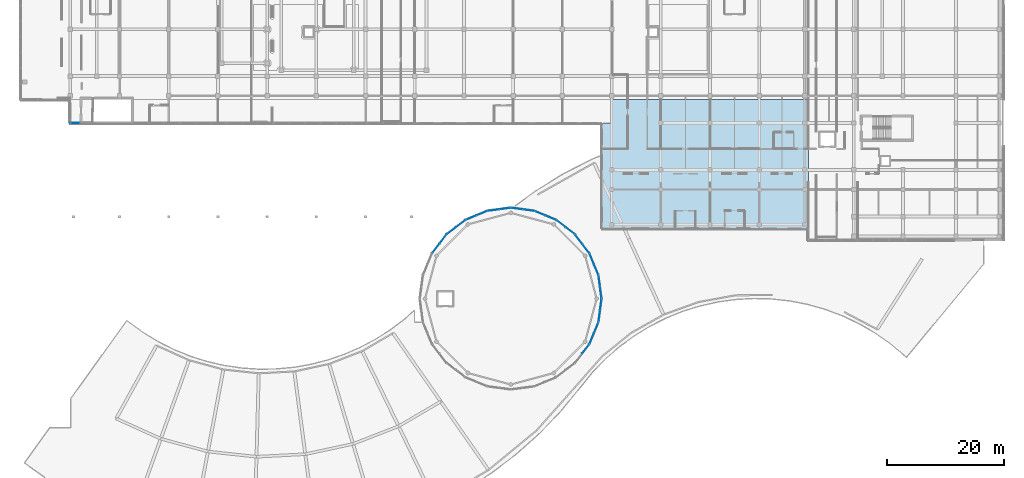
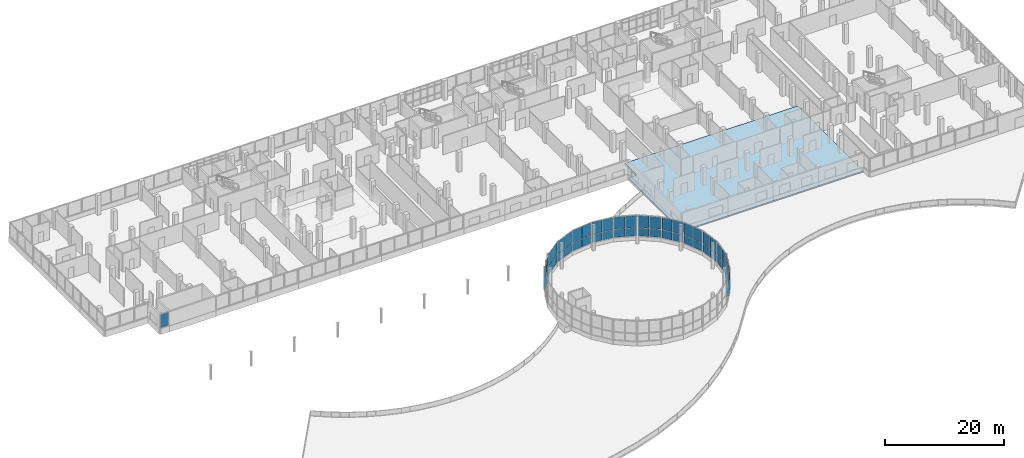
# One storey, part 75 of 101: 51 plates, 1 slab, 14 elements without a shape of their own.
"""IFC4 building model written with IfcOpenShell, lengths in metres."""

from ifc_helpers import new_model, si_unit, direction, frame, origin, origin_2d, place, context, subcontext, project, spatial, polyline, rectangle, outline, extrude, material, layer, layer_set, type_object, element, aggregate, save


model = new_model("IFC4")

# Units and contexts
model_context = context("Model", 3, precision=1e-05, world=origin(), true_north=direction((0.0, 1.0)))
body_context = subcontext(model_context, "Body", "Model", "MODEL_VIEW")
ifc_project = project(units=[si_unit("LENGTHUNIT", "METRE"), si_unit("AREAUNIT", "SQUARE_METRE"), si_unit("VOLUMEUNIT", "CUBIC_METRE"), si_unit("PLANEANGLEUNIT", "RADIAN"), si_unit("MASSUNIT", "GRAM", prefix="KILO")], contexts=[model_context])

# Site, building, storey
site_placement = place(None, origin())
site = spatial("IfcSite", under=ifc_project, at=site_placement, CompositionType="ELEMENT")
building_placement = place(site_placement, origin())
building = spatial("IfcBuilding", under=site, at=building_placement, Name="Selatvlak General Hospital", CompositionType="ELEMENT")
storey_placement = place(building_placement, frame((0.0, 0.0, 19.199951171875)))
storey = spatial("IfcBuildingStorey", under=building, at=storey_placement, Name="L04", CompositionType="ELEMENT", Elevation=19.199951171875)

# Curtain wall, plate
ifc_material_1 = material(Name="Solar-control Low-E double glazing", Category="glass")
curtain_wall_type_1 = type_object("IfcCurtainWallType", Name="CW-CW-02", PredefinedType="USERDEFINED", material=ifc_material_1)
curtain_wall_1_placement = place(storey_placement, origin())
curtain_wall_1 = element("IfcCurtainWall", 1, at=curtain_wall_1_placement, inside=storey, type_object=curtain_wall_type_1, Name="Glazed facade curtain wall CW-L04-0517", ObjectType="UNITISED CURTAIN WALL", PredefinedType="USERDEFINED")
ifc_layer_1 = layer(ifc_material_1, 0.028076171875, Name="Solar-control Low-E double glazing", Category="glass")
ifc_layer_set_1 = layer_set([ifc_layer_1], Name="Solar-control Low-E double glazing")
plate_type = type_object("IfcPlateType", Name="CWP-01", PredefinedType="CURTAIN_PANEL", material=ifc_layer_set_1)
plate_1_placement = place(storey_placement, frame((23.640380859375, 83.99951171875, 1.0048828125), z_axis=(0.0, 0.0, 1.0), x_axis=(-0.999999816123, 0.000606428033, 0.0)))
plate_1 = element("IfcPlate", 2, at=plate_1_placement, type_object=plate_type, Name="CW-02 panel 1.1", PredefinedType="CURTAIN_PANEL", context=body_context, shape_type="SweptSolid", body=[
    extrude(rectangle(XDim=1.51904296875, YDim=0.028076171875, at=origin_2d()), origin(), (0.0, 0.0, 1.0), 2.699951171875),
])
aggregate(curtain_wall_1, [plate_1])

# Curtain wall, plates
curtain_wall_type_2 = type_object("IfcCurtainWallType", Name="CW-CW-04", PredefinedType="USERDEFINED", material=ifc_material_1)
curtain_wall_2_placement = place(storey_placement, origin())
curtain_wall_2 = element("IfcCurtainWall", 3, at=curtain_wall_2_placement, inside=storey, type_object=curtain_wall_type_2, Name="Glazed facade curtain wall CW-L04-0519", ObjectType="STICK GLAZING WALL", PredefinedType="USERDEFINED")
plate_2_placement = place(storey_placement, frame((113.364990234375, 52.9736328125, 0.9150390625), z_axis=(0.0, 0.0, 1.0), x_axis=(-0.130499608402, -0.991448360837, 0.0)))
plate_2 = element("IfcPlate", 4, at=plate_2_placement, type_object=plate_type, Name="CW-04 panel 1.1", PredefinedType="CURTAIN_PANEL", context=body_context, shape_type="SweptSolid", body=[
    extrude(rectangle(XDim=1.91015625, YDim=0.028076171875, at=origin_2d()), origin(), (0.0, 0.0, 1.0), 1.62744140625),
])
plate_3_placement = place(storey_placement, frame((113.364990234375, 52.9736328125, 2.607421875), z_axis=(0.0, 0.0, 1.0), x_axis=(-0.130499608402, -0.991448360837, 0.0)))
plate_3 = element("IfcPlate", 5, at=plate_3_placement, type_object=plate_type, Name="CW-04 panel 1.2", PredefinedType="CURTAIN_PANEL", context=body_context, shape_type="SweptSolid", body=[
    extrude(rectangle(XDim=1.91015625, YDim=0.028076171875, at=origin_2d()), origin(), (0.0, 0.0, 1.0), 2.4775390625),
])
plate_4_placement = place(storey_placement, frame((113.107177734375, 51.015380859375, 0.9150390625), z_axis=(0.0, 0.0, 1.0), x_axis=(-0.130499608402, -0.991448360837, 0.0)))
plate_4 = element("IfcPlate", 6, at=plate_4_placement, type_object=plate_type, Name="CW-04 panel 2.1", PredefinedType="CURTAIN_PANEL", context=body_context, shape_type="SweptSolid", body=[
    extrude(rectangle(XDim=1.91015625, YDim=0.028076171875, at=origin_2d()), origin(), (0.0, 0.0, 1.0), 1.62744140625),
])
plate_5_placement = place(storey_placement, frame((113.107177734375, 51.015380859375, 2.607421875), z_axis=(0.0, 0.0, 1.0), x_axis=(-0.130499608402, -0.991448360837, 0.0)))
plate_5 = element("IfcPlate", 7, at=plate_5_placement, type_object=plate_type, Name="CW-04 panel 2.2", PredefinedType="CURTAIN_PANEL", context=body_context, shape_type="SweptSolid", body=[
    extrude(rectangle(XDim=1.91015625, YDim=0.028076171875, at=origin_2d()), origin(), (0.0, 0.0, 1.0), 2.4775390625),
])
aggregate(curtain_wall_2, [plate_2, plate_3, plate_4, plate_5])

curtain_wall_type_3 = type_object("IfcCurtainWallType", Name="CW-CW-05", PredefinedType="USERDEFINED", material=ifc_material_1)
curtain_wall_3_placement = place(storey_placement, origin())
curtain_wall_3 = element("IfcCurtainWall", 8, at=curtain_wall_3_placement, inside=storey, type_object=curtain_wall_type_3, Name="Glazed facade curtain wall CW-L04-0520", ObjectType="STICK GLAZING WALL", PredefinedType="USERDEFINED")
plate_6_placement = place(storey_placement, frame((112.5615234375, 48.998046875, 0.9150390625), z_axis=(0.0, 0.0, 1.0), x_axis=(-0.382537390187, -0.92394001164, 0.0)))
plate_6 = element("IfcPlate", 9, at=plate_6_placement, type_object=plate_type, Name="CW-05 panel 1.1", PredefinedType="CURTAIN_PANEL", context=body_context, shape_type="SweptSolid", body=[
    extrude(rectangle(XDim=1.88525390625, YDim=0.028076171875, at=origin_2d()), origin(), (0.0, 0.0, 1.0), 1.62744140625),
])
plate_7_placement = place(storey_placement, frame((112.5615234375, 48.998046875, 2.607421875), z_axis=(0.0, 0.0, 1.0), x_axis=(-0.382537390187, -0.92394001164, 0.0)))
plate_7 = element("IfcPlate", 10, at=plate_7_placement, type_object=plate_type, Name="CW-05 panel 1.2", PredefinedType="CURTAIN_PANEL", context=body_context, shape_type="SweptSolid", body=[
    extrude(rectangle(XDim=1.88525390625, YDim=0.028076171875, at=origin_2d()), origin(), (0.0, 0.0, 1.0), 2.4775390625),
])
plate_8_placement = place(storey_placement, frame((111.8154296875, 47.196044921875, 0.9150390625), z_axis=(0.0, 0.0, 1.0), x_axis=(-0.382537390187, -0.92394001164, 0.0)))
plate_8 = element("IfcPlate", 11, at=plate_8_placement, type_object=plate_type, Name="CW-05 panel 2.1", PredefinedType="CURTAIN_PANEL", context=body_context, shape_type="SweptSolid", body=[
    extrude(rectangle(XDim=1.88525390625, YDim=0.028076171875, at=origin_2d()), origin(), (0.0, 0.0, 1.0), 1.62744140625),
])
plate_9_placement = place(storey_placement, frame((111.8154296875, 47.196044921875, 2.607421875), z_axis=(0.0, 0.0, 1.0), x_axis=(-0.382537390187, -0.92394001164, 0.0)))
plate_9 = element("IfcPlate", 12, at=plate_9_placement, type_object=plate_type, Name="CW-05 panel 2.2", PredefinedType="CURTAIN_PANEL", context=body_context, shape_type="SweptSolid", body=[
    extrude(rectangle(XDim=1.88525390625, YDim=0.028076171875, at=origin_2d()), origin(), (0.0, 0.0, 1.0), 2.4775390625),
])
aggregate(curtain_wall_3, [plate_6, plate_7, plate_8, plate_9])

curtain_wall_4_placement = place(storey_placement, origin())
curtain_wall_4 = element("IfcCurtainWall", 13, at=curtain_wall_4_placement, inside=storey, type_object=curtain_wall_type_2, Name="Glazed facade curtain wall CW-L04-0521", ObjectType="STICK GLAZING WALL", PredefinedType="USERDEFINED")
plate_10_placement = place(storey_placement, frame((110.771240234375, 45.399658203125, 0.9150390625), z_axis=(0.0, 0.0, 1.0), x_axis=(-0.608918417743, -0.793232853917, 0.0)))
plate_10 = element("IfcPlate", 14, at=plate_10_placement, type_object=plate_type, Name="CW-04 panel 1.1", PredefinedType="CURTAIN_PANEL", context=body_context, shape_type="SweptSolid", body=[
    extrude(rectangle(XDim=1.885498046875, YDim=0.028076171875, at=origin_2d()), origin(), (0.0, 0.0, 1.0), 1.62744140625),
])
plate_11_placement = place(storey_placement, frame((110.771240234375, 45.399658203125, 2.607421875), z_axis=(0.0, 0.0, 1.0), x_axis=(-0.608918417743, -0.793232853917, 0.0)))
plate_11 = element("IfcPlate", 15, at=plate_11_placement, type_object=plate_type, Name="CW-04 panel 1.2", PredefinedType="CURTAIN_PANEL", context=body_context, shape_type="SweptSolid", body=[
    extrude(rectangle(XDim=1.885498046875, YDim=0.028076171875, at=origin_2d()), origin(), (0.0, 0.0, 1.0), 2.4775390625),
])
aggregate(curtain_wall_4, [plate_10, plate_11])

curtain_wall_5_placement = place(storey_placement, origin())
curtain_wall_5 = element("IfcCurtainWall", 16, at=curtain_wall_5_placement, inside=storey, type_object=curtain_wall_type_2, Name="Glazed facade curtain wall CW-L04-0533", ObjectType="STICK GLAZING WALL", PredefinedType="USERDEFINED")
plate_12_placement = place(storey_placement, frame((85.228759765625, 62.600341796875, 0.9150390625), z_axis=(0.0, 0.0, 1.0), x_axis=(0.608918417743, 0.793232853917, 0.0)))
plate_12 = element("IfcPlate", 17, at=plate_12_placement, type_object=plate_type, Name="CW-04 panel 1.1", PredefinedType="CURTAIN_PANEL", context=body_context, shape_type="SweptSolid", body=[
    extrude(rectangle(XDim=1.885498046875, YDim=0.028076171875, at=origin_2d()), origin(), (0.0, 0.0, 1.0), 1.62744140625),
])
plate_13_placement = place(storey_placement, frame((85.228759765625, 62.600341796875, 2.607421875), z_axis=(0.0, 0.0, 1.0), x_axis=(0.608918417743, 0.793232853917, 0.0)))
plate_13 = element("IfcPlate", 18, at=plate_13_placement, type_object=plate_type, Name="CW-04 panel 1.2", PredefinedType="CURTAIN_PANEL", context=body_context, shape_type="SweptSolid", body=[
    extrude(rectangle(XDim=1.885498046875, YDim=0.028076171875, at=origin_2d()), origin(), (0.0, 0.0, 1.0), 2.4775390625),
])
plate_14_placement = place(storey_placement, frame((86.416259765625, 64.147705078125, 0.9150390625), z_axis=(0.0, 0.0, 1.0), x_axis=(0.608918417743, 0.793232853917, 0.0)))
plate_14 = element("IfcPlate", 19, at=plate_14_placement, type_object=plate_type, Name="CW-04 panel 2.1", PredefinedType="CURTAIN_PANEL", context=body_context, shape_type="SweptSolid", body=[
    extrude(rectangle(XDim=1.885498046875, YDim=0.028076171875, at=origin_2d()), origin(), (0.0, 0.0, 1.0), 1.62744140625),
])
plate_15_placement = place(storey_placement, frame((86.416259765625, 64.147705078125, 2.607421875), z_axis=(0.0, 0.0, 1.0), x_axis=(0.608918417743, 0.793232853917, 0.0)))
plate_15 = element("IfcPlate", 20, at=plate_15_placement, type_object=plate_type, Name="CW-04 panel 2.2", PredefinedType="CURTAIN_PANEL", context=body_context, shape_type="SweptSolid", body=[
    extrude(rectangle(XDim=1.885498046875, YDim=0.028076171875, at=origin_2d()), origin(), (0.0, 0.0, 1.0), 2.4775390625),
])
aggregate(curtain_wall_5, [plate_12, plate_13, plate_14, plate_15])

curtain_wall_6_placement = place(storey_placement, origin())
curtain_wall_6 = element("IfcCurtainWall", 21, at=curtain_wall_6_placement, inside=storey, type_object=curtain_wall_type_3, Name="Glazed facade curtain wall CW-L04-0534", ObjectType="STICK GLAZING WALL", PredefinedType="USERDEFINED")
plate_16_placement = place(storey_placement, frame((87.890380859375, 65.611572265625, 0.9150390625), z_axis=(0.0, 0.0, 1.0), x_axis=(0.793232853917, 0.608918417743, 0.0)))
plate_16 = element("IfcPlate", 22, at=plate_16_placement, type_object=plate_type, Name="CW-05 panel 1.1", PredefinedType="CURTAIN_PANEL", context=body_context, shape_type="SweptSolid", body=[
    extrude(rectangle(XDim=1.885498046875, YDim=0.028076171875, at=origin_2d()), origin(), (0.0, 0.0, 1.0), 1.62744140625),
])
plate_17_placement = place(storey_placement, frame((87.890380859375, 65.611572265625, 2.607421875), z_axis=(0.0, 0.0, 1.0), x_axis=(0.793232853917, 0.608918417743, 0.0)))
plate_17 = element("IfcPlate", 23, at=plate_17_placement, type_object=plate_type, Name="CW-05 panel 1.2", PredefinedType="CURTAIN_PANEL", context=body_context, shape_type="SweptSolid", body=[
    extrude(rectangle(XDim=1.885498046875, YDim=0.028076171875, at=origin_2d()), origin(), (0.0, 0.0, 1.0), 2.4775390625),
])
plate_18_placement = place(storey_placement, frame((89.4375, 66.79931640625, 0.9150390625), z_axis=(0.0, 0.0, 1.0), x_axis=(0.793232853917, 0.608918417743, 0.0)))
plate_18 = element("IfcPlate", 24, at=plate_18_placement, type_object=plate_type, Name="CW-05 panel 2.1", PredefinedType="CURTAIN_PANEL", context=body_context, shape_type="SweptSolid", body=[
    extrude(rectangle(XDim=1.885498046875, YDim=0.028076171875, at=origin_2d()), origin(), (0.0, 0.0, 1.0), 1.62744140625),
])
plate_19_placement = place(storey_placement, frame((89.4375, 66.79931640625, 2.607421875), z_axis=(0.0, 0.0, 1.0), x_axis=(0.793232853917, 0.608918417743, 0.0)))
plate_19 = element("IfcPlate", 25, at=plate_19_placement, type_object=plate_type, Name="CW-05 panel 2.2", PredefinedType="CURTAIN_PANEL", context=body_context, shape_type="SweptSolid", body=[
    extrude(rectangle(XDim=1.885498046875, YDim=0.028076171875, at=origin_2d()), origin(), (0.0, 0.0, 1.0), 2.4775390625),
])
aggregate(curtain_wall_6, [plate_16, plate_17, plate_18, plate_19])

curtain_wall_7_placement = place(storey_placement, origin())
curtain_wall_7 = element("IfcCurtainWall", 26, at=curtain_wall_7_placement, inside=storey, type_object=curtain_wall_type_2, Name="Glazed facade curtain wall CW-L04-0535", ObjectType="STICK GLAZING WALL", PredefinedType="USERDEFINED")
plate_20_placement = place(storey_placement, frame((91.239990234375, 67.832763671875, 0.9150390625), z_axis=(0.0, 0.0, 1.0), x_axis=(0.923850868847, 0.382752625243, 0.0)))
plate_20 = element("IfcPlate", 27, at=plate_20_placement, type_object=plate_type, Name="CW-04 panel 1.1", PredefinedType="CURTAIN_PANEL", context=body_context, shape_type="SweptSolid", body=[
    extrude(rectangle(XDim=1.885498046875, YDim=0.028076171875, at=origin_2d()), origin(), (0.0, 0.0, 1.0), 1.62744140625),
])
plate_21_placement = place(storey_placement, frame((91.239990234375, 67.832763671875, 2.607421875), z_axis=(0.0, 0.0, 1.0), x_axis=(0.923850868847, 0.382752625243, 0.0)))
plate_21 = element("IfcPlate", 28, at=plate_21_placement, type_object=plate_type, Name="CW-04 panel 1.2", PredefinedType="CURTAIN_PANEL", context=body_context, shape_type="SweptSolid", body=[
    extrude(rectangle(XDim=1.885498046875, YDim=0.028076171875, at=origin_2d()), origin(), (0.0, 0.0, 1.0), 2.4775390625),
])
plate_22_placement = place(storey_placement, frame((93.0419921875, 68.579345703125, 0.9150390625), z_axis=(0.0, 0.0, 1.0), x_axis=(0.923850868847, 0.382752625243, 0.0)))
plate_22 = element("IfcPlate", 29, at=plate_22_placement, type_object=plate_type, Name="CW-04 panel 2.1", PredefinedType="CURTAIN_PANEL", context=body_context, shape_type="SweptSolid", body=[
    extrude(rectangle(XDim=1.885498046875, YDim=0.028076171875, at=origin_2d()), origin(), (0.0, 0.0, 1.0), 1.62744140625),
])
plate_23_placement = place(storey_placement, frame((93.0419921875, 68.579345703125, 2.607421875), z_axis=(0.0, 0.0, 1.0), x_axis=(0.923850868847, 0.382752625243, 0.0)))
plate_23 = element("IfcPlate", 30, at=plate_23_placement, type_object=plate_type, Name="CW-04 panel 2.2", PredefinedType="CURTAIN_PANEL", context=body_context, shape_type="SweptSolid", body=[
    extrude(rectangle(XDim=1.885498046875, YDim=0.028076171875, at=origin_2d()), origin(), (0.0, 0.0, 1.0), 2.4775390625),
])
aggregate(curtain_wall_7, [plate_20, plate_21, plate_22, plate_23])

curtain_wall_8_placement = place(storey_placement, origin())
curtain_wall_8 = element("IfcCurtainWall", 31, at=curtain_wall_8_placement, inside=storey, type_object=curtain_wall_type_3, Name="Glazed facade curtain wall CW-L04-0536", ObjectType="STICK GLAZING WALL", PredefinedType="USERDEFINED")
plate_24_placement = place(storey_placement, frame((95.051025390625, 69.111572265625, 0.9150390625), z_axis=(0.0, 0.0, 1.0), x_axis=(0.991433685916, 0.130611050186, 0.0)))
plate_24 = element("IfcPlate", 32, at=plate_24_placement, type_object=plate_type, Name="CW-05 panel 1.1", PredefinedType="CURTAIN_PANEL", context=body_context, shape_type="SweptSolid", body=[
    extrude(rectangle(XDim=1.885498046875, YDim=0.028076171875, at=origin_2d()), origin(), (0.0, 0.0, 1.0), 1.62744140625),
])
plate_25_placement = place(storey_placement, frame((95.051025390625, 69.111572265625, 2.607421875), z_axis=(0.0, 0.0, 1.0), x_axis=(0.991433685916, 0.130611050186, 0.0)))
plate_25 = element("IfcPlate", 33, at=plate_25_placement, type_object=plate_type, Name="CW-05 panel 1.2", PredefinedType="CURTAIN_PANEL", context=body_context, shape_type="SweptSolid", body=[
    extrude(rectangle(XDim=1.885498046875, YDim=0.028076171875, at=origin_2d()), origin(), (0.0, 0.0, 1.0), 2.4775390625),
])
plate_26_placement = place(storey_placement, frame((96.98486328125, 69.366455078125, 0.9150390625), z_axis=(0.0, 0.0, 1.0), x_axis=(0.991433685916, 0.130611050186, 0.0)))
plate_26 = element("IfcPlate", 34, at=plate_26_placement, type_object=plate_type, Name="CW-05 panel 2.1", PredefinedType="CURTAIN_PANEL", context=body_context, shape_type="SweptSolid", body=[
    extrude(rectangle(XDim=1.885498046875, YDim=0.028076171875, at=origin_2d()), origin(), (0.0, 0.0, 1.0), 1.62744140625),
])
plate_27_placement = place(storey_placement, frame((96.98486328125, 69.366455078125, 2.607421875), z_axis=(0.0, 0.0, 1.0), x_axis=(0.991433685916, 0.130611050186, 0.0)))
plate_27 = element("IfcPlate", 35, at=plate_27_placement, type_object=plate_type, Name="CW-05 panel 2.2", PredefinedType="CURTAIN_PANEL", context=body_context, shape_type="SweptSolid", body=[
    extrude(rectangle(XDim=1.885498046875, YDim=0.028076171875, at=origin_2d()), origin(), (0.0, 0.0, 1.0), 2.4775390625),
])
aggregate(curtain_wall_8, [plate_24, plate_25, plate_26, plate_27])

curtain_wall_9_placement = place(storey_placement, origin())
curtain_wall_9 = element("IfcCurtainWall", 36, at=curtain_wall_9_placement, inside=storey, type_object=curtain_wall_type_2, Name="Glazed facade curtain wall CW-L04-0537", ObjectType="STICK GLAZING WALL", PredefinedType="USERDEFINED")
plate_28_placement = place(storey_placement, frame((99.063232421875, 69.359619140625, 0.9150390625), z_axis=(0.0, 0.0, 1.0), x_axis=(0.991466306804, -0.130363194467, 0.0)))
plate_28 = element("IfcPlate", 37, at=plate_28_placement, type_object=plate_type, Name="CW-04 panel 1.1", PredefinedType="CURTAIN_PANEL", context=body_context, shape_type="SweptSolid", body=[
    extrude(rectangle(XDim=1.885498046875, YDim=0.028076171875, at=origin_2d()), origin(), (0.0, 0.0, 1.0), 1.62744140625),
])
plate_29_placement = place(storey_placement, frame((99.063232421875, 69.359619140625, 2.607421875), z_axis=(0.0, 0.0, 1.0), x_axis=(0.991466306804, -0.130363194467, 0.0)))
plate_29 = element("IfcPlate", 38, at=plate_29_placement, type_object=plate_type, Name="CW-04 panel 1.2", PredefinedType="CURTAIN_PANEL", context=body_context, shape_type="SweptSolid", body=[
    extrude(rectangle(XDim=1.885498046875, YDim=0.028076171875, at=origin_2d()), origin(), (0.0, 0.0, 1.0), 2.4775390625),
])
plate_30_placement = place(storey_placement, frame((100.996826171875, 69.10546875, 0.9150390625), z_axis=(0.0, 0.0, 1.0), x_axis=(0.991466306804, -0.130363194467, 0.0)))
plate_30 = element("IfcPlate", 39, at=plate_30_placement, type_object=plate_type, Name="CW-04 panel 2.1", PredefinedType="CURTAIN_PANEL", context=body_context, shape_type="SweptSolid", body=[
    extrude(rectangle(XDim=1.885498046875, YDim=0.028076171875, at=origin_2d()), origin(), (0.0, 0.0, 1.0), 1.62744140625),
])
plate_31_placement = place(storey_placement, frame((100.996826171875, 69.10546875, 2.607421875), z_axis=(0.0, 0.0, 1.0), x_axis=(0.991466306804, -0.130363194467, 0.0)))
plate_31 = element("IfcPlate", 40, at=plate_31_placement, type_object=plate_type, Name="CW-04 panel 2.2", PredefinedType="CURTAIN_PANEL", context=body_context, shape_type="SweptSolid", body=[
    extrude(rectangle(XDim=1.885498046875, YDim=0.028076171875, at=origin_2d()), origin(), (0.0, 0.0, 1.0), 2.4775390625),
])
aggregate(curtain_wall_9, [plate_28, plate_29, plate_30, plate_31])

curtain_wall_10_placement = place(storey_placement, origin())
curtain_wall_10 = element("IfcCurtainWall", 41, at=curtain_wall_10_placement, inside=storey, type_object=curtain_wall_type_3, Name="Glazed facade curtain wall CW-L04-0538", ObjectType="STICK GLAZING WALL", PredefinedType="USERDEFINED")
plate_32_placement = place(storey_placement, frame((103.001953125, 68.5615234375, 0.9150390625), z_axis=(0.0, 0.0, 1.0), x_axis=(0.92394001164, -0.382537390187, 0.0)))
plate_32 = element("IfcPlate", 42, at=plate_32_placement, type_object=plate_type, Name="CW-05 panel 1.1", PredefinedType="CURTAIN_PANEL", context=body_context, shape_type="SweptSolid", body=[
    extrude(rectangle(XDim=1.88525390625, YDim=0.028076171875, at=origin_2d()), origin(), (0.0, 0.0, 1.0), 1.62744140625),
])
plate_33_placement = place(storey_placement, frame((103.001953125, 68.5615234375, 2.607421875), z_axis=(0.0, 0.0, 1.0), x_axis=(0.92394001164, -0.382537390187, 0.0)))
plate_33 = element("IfcPlate", 43, at=plate_33_placement, type_object=plate_type, Name="CW-05 panel 1.2", PredefinedType="CURTAIN_PANEL", context=body_context, shape_type="SweptSolid", body=[
    extrude(rectangle(XDim=1.88525390625, YDim=0.028076171875, at=origin_2d()), origin(), (0.0, 0.0, 1.0), 2.4775390625),
])
plate_34_placement = place(storey_placement, frame((104.803955078125, 67.8154296875, 0.9150390625), z_axis=(0.0, 0.0, 1.0), x_axis=(0.92394001164, -0.382537390187, 0.0)))
plate_34 = element("IfcPlate", 44, at=plate_34_placement, type_object=plate_type, Name="CW-05 panel 2.1", PredefinedType="CURTAIN_PANEL", context=body_context, shape_type="SweptSolid", body=[
    extrude(rectangle(XDim=1.88525390625, YDim=0.028076171875, at=origin_2d()), origin(), (0.0, 0.0, 1.0), 1.62744140625),
])
plate_35_placement = place(storey_placement, frame((104.803955078125, 67.8154296875, 2.607421875), z_axis=(0.0, 0.0, 1.0), x_axis=(0.92394001164, -0.382537390187, 0.0)))
plate_35 = element("IfcPlate", 45, at=plate_35_placement, type_object=plate_type, Name="CW-05 panel 2.2", PredefinedType="CURTAIN_PANEL", context=body_context, shape_type="SweptSolid", body=[
    extrude(rectangle(XDim=1.88525390625, YDim=0.028076171875, at=origin_2d()), origin(), (0.0, 0.0, 1.0), 2.4775390625),
])
aggregate(curtain_wall_10, [plate_32, plate_33, plate_34, plate_35])

curtain_wall_11_placement = place(storey_placement, origin())
curtain_wall_11 = element("IfcCurtainWall", 46, at=curtain_wall_11_placement, inside=storey, type_object=curtain_wall_type_2, Name="Glazed facade curtain wall CW-L04-0539", ObjectType="STICK GLAZING WALL", PredefinedType="USERDEFINED")
plate_36_placement = place(storey_placement, frame((106.600341796875, 66.771240234375, 0.9150390625), z_axis=(0.0, 0.0, 1.0), x_axis=(0.793232853917, -0.608918417743, 0.0)))
plate_36 = element("IfcPlate", 47, at=plate_36_placement, type_object=plate_type, Name="CW-04 panel 1.1", PredefinedType="CURTAIN_PANEL", context=body_context, shape_type="SweptSolid", body=[
    extrude(rectangle(XDim=1.885498046875, YDim=0.028076171875, at=origin_2d()), origin(), (0.0, 0.0, 1.0), 1.62744140625),
])
plate_37_placement = place(storey_placement, frame((106.600341796875, 66.771240234375, 2.607421875), z_axis=(0.0, 0.0, 1.0), x_axis=(0.793232853917, -0.608918417743, 0.0)))
plate_37 = element("IfcPlate", 48, at=plate_37_placement, type_object=plate_type, Name="CW-04 panel 1.2", PredefinedType="CURTAIN_PANEL", context=body_context, shape_type="SweptSolid", body=[
    extrude(rectangle(XDim=1.885498046875, YDim=0.028076171875, at=origin_2d()), origin(), (0.0, 0.0, 1.0), 2.4775390625),
])
plate_38_placement = place(storey_placement, frame((108.147705078125, 65.583740234375, 0.9150390625), z_axis=(0.0, 0.0, 1.0), x_axis=(0.793232853917, -0.608918417743, 0.0)))
plate_38 = element("IfcPlate", 49, at=plate_38_placement, type_object=plate_type, Name="CW-04 panel 2.1", PredefinedType="CURTAIN_PANEL", context=body_context, shape_type="SweptSolid", body=[
    extrude(rectangle(XDim=1.885498046875, YDim=0.028076171875, at=origin_2d()), origin(), (0.0, 0.0, 1.0), 1.62744140625),
])
plate_39_placement = place(storey_placement, frame((108.147705078125, 65.583740234375, 2.607421875), z_axis=(0.0, 0.0, 1.0), x_axis=(0.793232853917, -0.608918417743, 0.0)))
plate_39 = element("IfcPlate", 50, at=plate_39_placement, type_object=plate_type, Name="CW-04 panel 2.2", PredefinedType="CURTAIN_PANEL", context=body_context, shape_type="SweptSolid", body=[
    extrude(rectangle(XDim=1.885498046875, YDim=0.028076171875, at=origin_2d()), origin(), (0.0, 0.0, 1.0), 2.4775390625),
])
aggregate(curtain_wall_11, [plate_36, plate_37, plate_38, plate_39])

curtain_wall_12_placement = place(storey_placement, origin())
curtain_wall_12 = element("IfcCurtainWall", 51, at=curtain_wall_12_placement, inside=storey, type_object=curtain_wall_type_3, Name="Glazed facade curtain wall CW-L04-0540", ObjectType="STICK GLAZING WALL", PredefinedType="USERDEFINED")
plate_40_placement = place(storey_placement, frame((109.611572265625, 64.109619140625, 0.9150390625), z_axis=(0.0, 0.0, 1.0), x_axis=(0.608918417743, -0.793232853917, 0.0)))
plate_40 = element("IfcPlate", 52, at=plate_40_placement, type_object=plate_type, Name="CW-05 panel 1.1", PredefinedType="CURTAIN_PANEL", context=body_context, shape_type="SweptSolid", body=[
    extrude(rectangle(XDim=1.885498046875, YDim=0.028076171875, at=origin_2d()), origin(), (0.0, 0.0, 1.0), 1.62744140625),
])
plate_41_placement = place(storey_placement, frame((109.611572265625, 64.109619140625, 2.607421875), z_axis=(0.0, 0.0, 1.0), x_axis=(0.608918417743, -0.793232853917, 0.0)))
plate_41 = element("IfcPlate", 53, at=plate_41_placement, type_object=plate_type, Name="CW-05 panel 1.2", PredefinedType="CURTAIN_PANEL", context=body_context, shape_type="SweptSolid", body=[
    extrude(rectangle(XDim=1.885498046875, YDim=0.028076171875, at=origin_2d()), origin(), (0.0, 0.0, 1.0), 2.4775390625),
])
plate_42_placement = place(storey_placement, frame((110.79931640625, 62.5625, 0.9150390625), z_axis=(0.0, 0.0, 1.0), x_axis=(0.608918417743, -0.793232853917, 0.0)))
plate_42 = element("IfcPlate", 54, at=plate_42_placement, type_object=plate_type, Name="CW-05 panel 2.1", PredefinedType="CURTAIN_PANEL", context=body_context, shape_type="SweptSolid", body=[
    extrude(rectangle(XDim=1.885498046875, YDim=0.028076171875, at=origin_2d()), origin(), (0.0, 0.0, 1.0), 1.62744140625),
])
plate_43_placement = place(storey_placement, frame((110.79931640625, 62.5625, 2.607421875), z_axis=(0.0, 0.0, 1.0), x_axis=(0.608918417743, -0.793232853917, 0.0)))
plate_43 = element("IfcPlate", 55, at=plate_43_placement, type_object=plate_type, Name="CW-05 panel 2.2", PredefinedType="CURTAIN_PANEL", context=body_context, shape_type="SweptSolid", body=[
    extrude(rectangle(XDim=1.885498046875, YDim=0.028076171875, at=origin_2d()), origin(), (0.0, 0.0, 1.0), 2.4775390625),
])
aggregate(curtain_wall_12, [plate_40, plate_41, plate_42, plate_43])

curtain_wall_13_placement = place(storey_placement, origin())
curtain_wall_13 = element("IfcCurtainWall", 56, at=curtain_wall_13_placement, inside=storey, type_object=curtain_wall_type_2, Name="Glazed facade curtain wall CW-L04-0541", ObjectType="STICK GLAZING WALL", PredefinedType="USERDEFINED")
plate_44_placement = place(storey_placement, frame((111.832763671875, 60.760009765625, 0.9150390625), z_axis=(0.0, 0.0, 1.0), x_axis=(0.382752625243, -0.923850868847, 0.0)))
plate_44 = element("IfcPlate", 57, at=plate_44_placement, type_object=plate_type, Name="CW-04 panel 1.1", PredefinedType="CURTAIN_PANEL", context=body_context, shape_type="SweptSolid", body=[
    extrude(rectangle(XDim=1.885498046875, YDim=0.028076171875, at=origin_2d()), origin(), (0.0, 0.0, 1.0), 1.62744140625),
])
plate_45_placement = place(storey_placement, frame((111.832763671875, 60.760009765625, 2.607421875), z_axis=(0.0, 0.0, 1.0), x_axis=(0.382752625243, -0.923850868847, 0.0)))
plate_45 = element("IfcPlate", 58, at=plate_45_placement, type_object=plate_type, Name="CW-04 panel 1.2", PredefinedType="CURTAIN_PANEL", context=body_context, shape_type="SweptSolid", body=[
    extrude(rectangle(XDim=1.885498046875, YDim=0.028076171875, at=origin_2d()), origin(), (0.0, 0.0, 1.0), 2.4775390625),
])
plate_46_placement = place(storey_placement, frame((112.579345703125, 58.9580078125, 0.9150390625), z_axis=(0.0, 0.0, 1.0), x_axis=(0.382752625243, -0.923850868847, 0.0)))
plate_46 = element("IfcPlate", 59, at=plate_46_placement, type_object=plate_type, Name="CW-04 panel 2.1", PredefinedType="CURTAIN_PANEL", context=body_context, shape_type="SweptSolid", body=[
    extrude(rectangle(XDim=1.885498046875, YDim=0.028076171875, at=origin_2d()), origin(), (0.0, 0.0, 1.0), 1.62744140625),
])
plate_47_placement = place(storey_placement, frame((112.579345703125, 58.9580078125, 2.607421875), z_axis=(0.0, 0.0, 1.0), x_axis=(0.382752625243, -0.923850868847, 0.0)))
plate_47 = element("IfcPlate", 60, at=plate_47_placement, type_object=plate_type, Name="CW-04 panel 2.2", PredefinedType="CURTAIN_PANEL", context=body_context, shape_type="SweptSolid", body=[
    extrude(rectangle(XDim=1.885498046875, YDim=0.028076171875, at=origin_2d()), origin(), (0.0, 0.0, 1.0), 2.4775390625),
])
aggregate(curtain_wall_13, [plate_44, plate_45, plate_46, plate_47])

curtain_wall_14_placement = place(storey_placement, origin())
curtain_wall_14 = element("IfcCurtainWall", 61, at=curtain_wall_14_placement, inside=storey, type_object=curtain_wall_type_3, Name="Glazed facade curtain wall CW-L04-0542", ObjectType="STICK GLAZING WALL", PredefinedType="USERDEFINED")
plate_48_placement = place(storey_placement, frame((113.10986328125, 56.961181640625, 0.9150390625), z_axis=(0.0, 0.0, 1.0), x_axis=(0.130474327229, -0.991451688149, 0.0)))
plate_48 = element("IfcPlate", 62, at=plate_48_placement, type_object=plate_type, Name="CW-05 panel 1.1", PredefinedType="CURTAIN_PANEL", context=body_context, shape_type="SweptSolid", body=[
    extrude(rectangle(XDim=1.86083984375, YDim=0.028076171875, at=origin_2d()), origin(), (0.0, 0.0, 1.0), 1.62744140625),
])
plate_49_placement = place(storey_placement, frame((113.10986328125, 56.961181640625, 2.607421875), z_axis=(0.0, 0.0, 1.0), x_axis=(0.130474327229, -0.991451688149, 0.0)))
plate_49 = element("IfcPlate", 63, at=plate_49_placement, type_object=plate_type, Name="CW-05 panel 1.2", PredefinedType="CURTAIN_PANEL", context=body_context, shape_type="SweptSolid", body=[
    extrude(rectangle(XDim=1.86083984375, YDim=0.028076171875, at=origin_2d()), origin(), (0.0, 0.0, 1.0), 2.4775390625),
])
plate_50_placement = place(storey_placement, frame((113.361083984375, 55.0517578125, 0.9150390625), z_axis=(0.0, 0.0, 1.0), x_axis=(0.130474327229, -0.991451688149, 0.0)))
plate_50 = element("IfcPlate", 64, at=plate_50_placement, type_object=plate_type, Name="CW-05 panel 2.1", PredefinedType="CURTAIN_PANEL", context=body_context, shape_type="SweptSolid", body=[
    extrude(rectangle(XDim=1.86083984375, YDim=0.028076171875, at=origin_2d()), origin(), (0.0, 0.0, 1.0), 1.62744140625),
])
plate_51_placement = place(storey_placement, frame((113.361083984375, 55.0517578125, 2.607421875), z_axis=(0.0, 0.0, 1.0), x_axis=(0.130474327229, -0.991451688149, 0.0)))
plate_51 = element("IfcPlate", 65, at=plate_51_placement, type_object=plate_type, Name="CW-05 panel 2.2", PredefinedType="CURTAIN_PANEL", context=body_context, shape_type="SweptSolid", body=[
    extrude(rectangle(XDim=1.86083984375, YDim=0.028076171875, at=origin_2d()), origin(), (0.0, 0.0, 1.0), 2.4775390625),
])
aggregate(curtain_wall_14, [plate_48, plate_49, plate_50, plate_51])

# Slab
ifc_material_2 = material(Name="Concrete C40/50", Category="concrete")
ifc_layer_2 = layer(ifc_material_2, 0.304931640625, Name="Concrete C40/50", Category="concrete")
ifc_layer_set_2 = layer_set([ifc_layer_2], Name="Concrete C40/50")
slab_type = type_object("IfcSlabType", Name="SLAB-SL-FL4", PredefinedType="FLOOR", material=ifc_layer_set_2)
slab_placement = place(storey_placement, frame((0.0, 0.0, -0.304931640625)))
element("IfcSlab", 66, at=slab_placement, inside=storey, type_object=slab_type, Name="L04 V4 structural slab", PredefinedType="FLOOR", context=body_context, shape_type="SweptSolid", body=[
    extrude(outline(polyline([(113.60009765625, 83.991943359375), (115.199951171875, 83.991943359375), (115.2080078125, 88.0), (148.800048828125, 88.0), (148.800048828125, 66.0), (113.60009765625, 66.0), (113.60009765625, 83.991943359375)])), origin(), (0.0, 0.0, 1.0), 0.304931640625),
])

save(model, "model.ifc")
